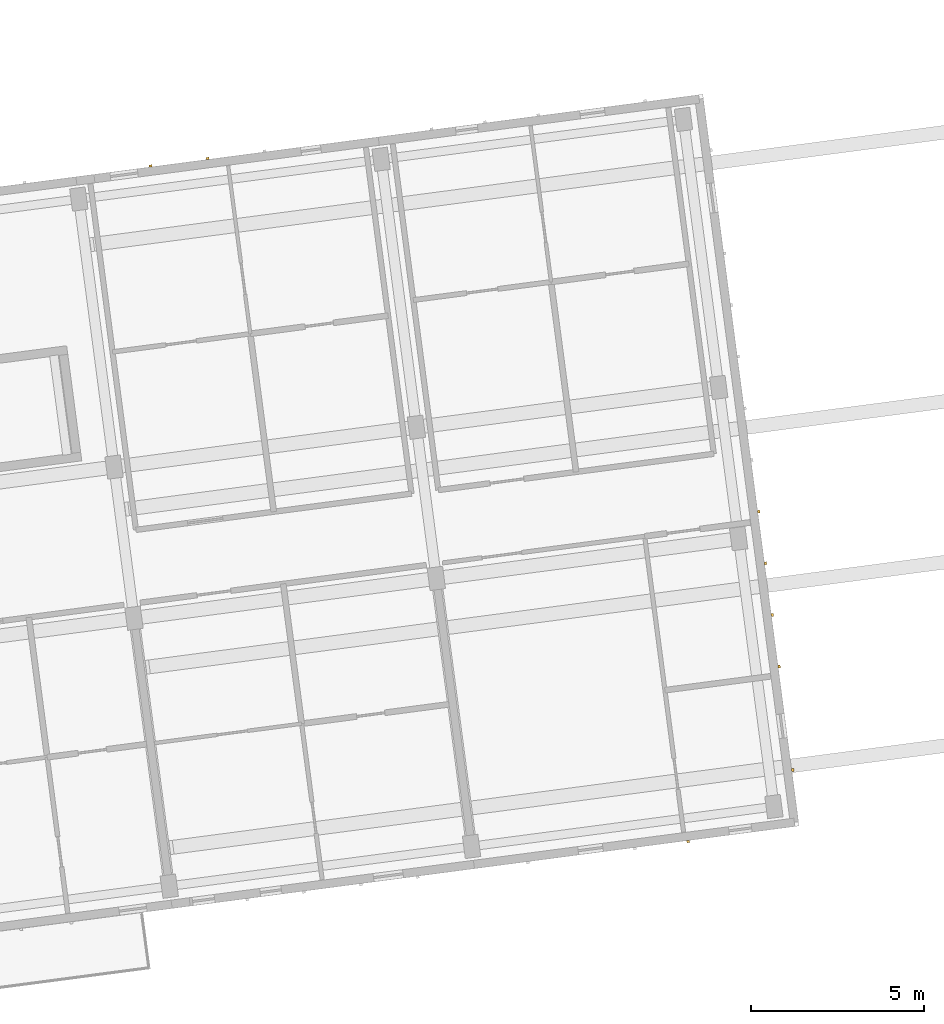
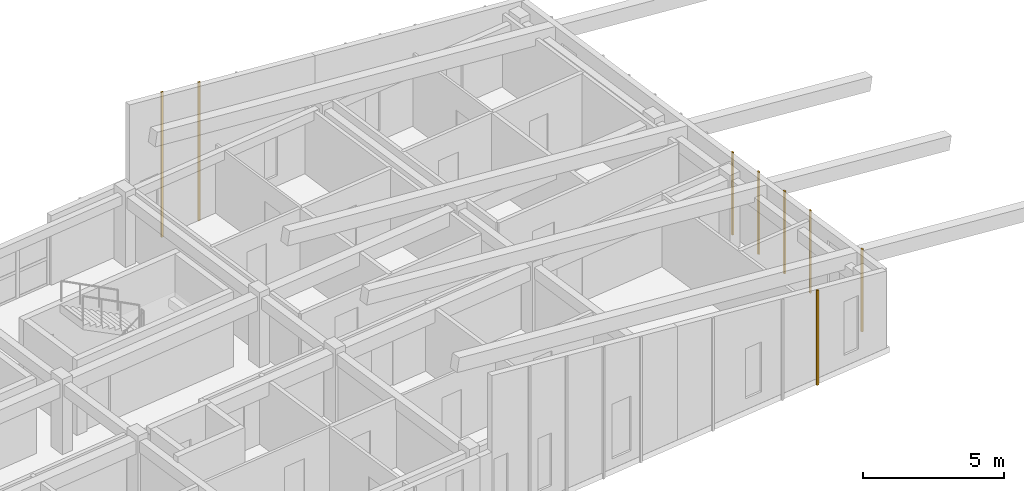
# One storey, part 14 of 16: 8 coverings.
"""IFC4 building model written with IfcOpenShell, lengths in metres."""

from ifc_helpers import new_model, si_unit, direction, frame, origin, origin_2d, place, context, subcontext, project, spatial, rectangle, extrude, material, layer, layer_set, type_object, element, save


model = new_model("IFC4")

# Units and contexts
model_context = context("Model", 3, precision=1e-05, world=origin(), true_north=direction((0.0, 1.0)))
body_context = subcontext(model_context, "Body", "Model", "MODEL_VIEW")
ifc_project = project(units=[si_unit("LENGTHUNIT", "METRE"), si_unit("AREAUNIT", "SQUARE_METRE"), si_unit("VOLUMEUNIT", "CUBIC_METRE"), si_unit("PLANEANGLEUNIT", "RADIAN"), si_unit("MASSUNIT", "GRAM", prefix="KILO")], contexts=[model_context])

# Site, building, storey
site_placement = place(None, origin())
site = spatial("IfcSite", under=ifc_project, at=site_placement, CompositionType="ELEMENT")
building_placement = place(site_placement, origin())
building = spatial("IfcBuilding", under=site, at=building_placement, Name="Kestramere Prow Commons", CompositionType="ELEMENT")
storey_placement = place(building_placement, frame((0.0, 0.0, 40.89990234375)))
storey = spatial("IfcBuildingStorey", under=building, at=storey_placement, Name="L12", CompositionType="ELEMENT", Elevation=40.89990234375)

# Coverings
ifc_material = material(Name="Weathered Zinc-Titanium Standing-Seam Cladding")
ifc_layer = layer(ifc_material, 0.074951171875)
ifc_layer_set = layer_set([ifc_layer], Name="Weathered Zinc-Titanium Standing-Seam Cladding")
covering_type = type_object("IfcCoveringType", Name="COV-CLAD-SEAM", PredefinedType="CLADDING", material=ifc_layer_set)
covering_1_placement = place(storey_placement, frame((52.350830078125, 76.734375, -0.25), z_axis=(0.0, 0.0, 1.0), x_axis=(-0.991444861374, -0.13052619222, 0.0)))
element("IfcCovering", 1, at=covering_1_placement, inside=storey, type_object=covering_type, Name="EW-A-L12-S-4 Standing-Seam Rib 2", PredefinedType="CLADDING", context=body_context, shape_type="SweptSolid", body=[
    extrude(rectangle(XDim=0.0849609375, YDim=0.06494140625, at=origin_2d()), origin(), (0.0, 0.0, 1.0), 4.098388671875),
])
covering_2_placement = place(storey_placement, frame((36.83642578125, 96.23095703125, -0.25), z_axis=(0.0, 0.0, 1.0), x_axis=(0.991444861374, 0.13052619222, 0.0)))
element("IfcCovering", 2, at=covering_2_placement, inside=storey, type_object=covering_type, Name="EW-A-L12-N-3 Standing-Seam Rib 1", PredefinedType="CLADDING", context=body_context, shape_type="SweptSolid", body=[
    extrude(rectangle(XDim=0.0849609375, YDim=0.06494140625, at=origin_2d()), origin(), (0.0, 0.0, 1.0), 6.27099609375),
])
covering_3_placement = place(storey_placement, frame((38.477294921875, 96.447021484375, -0.249755859375), z_axis=(0.0, 0.0, 1.0), x_axis=(0.991444861374, 0.13052619222, 0.0)))
element("IfcCovering", 3, at=covering_3_placement, inside=storey, type_object=covering_type, Name="EW-A-L12-N-3 Standing-Seam Rib 2", PredefinedType="CLADDING", context=body_context, shape_type="SweptSolid", body=[
    extrude(rectangle(XDim=0.0849609375, YDim=0.06494140625, at=origin_2d()), origin(), (0.0, 0.0, 1.0), 5.99072265625),
])
for number, where, z_axis, x_axis, name in (
    (4, (54.38623046875, 86.25537109375, -0.25), (0.0, 0.0, 1.0), (0.13052619222, -0.991444861374, 0.0), "EW-A-L12-EAV Standing-Seam Rib 8"),
    (5, (54.58251953125, 84.7646484375, -0.25), (0.0, 0.0, 1.0), (0.13052619222, -0.991444861374, 0.0), "EW-A-L12-EAV Standing-Seam Rib 9"),
    (6, (54.77880859375, 83.27392578125, -0.25), (0.0, 0.0, 1.0), (0.13052619222, -0.991444861374, 0.0), "EW-A-L12-EAV Standing-Seam Rib 10"),
    (7, (54.97509765625, 81.783203125, -0.25), (0.0, 0.0, 1.0), (0.13052619222, -0.991444861374, 0.0), "EW-A-L12-EAV Standing-Seam Rib 11"),
    (8, (55.367431640625, 78.8017578125, -0.25), (0.0, 0.0, 1.0), (0.13052619222, -0.991444861374, 0.0), "EW-A-L12-EAV Standing-Seam Rib 13"),
):
    element("IfcCovering", number, at=place(storey_placement, frame(where, z_axis=z_axis, x_axis=x_axis)), inside=storey, type_object=covering_type, Name=name, PredefinedType="CLADDING", context=body_context, shape_type="SweptSolid", body=[
        extrude(rectangle(XDim=0.0849609375, YDim=0.06494140625, at=origin_2d()), origin(), (0.0, 0.0, 1.0), 3.572509765625),
    ])

save(model, "model.ifc")
